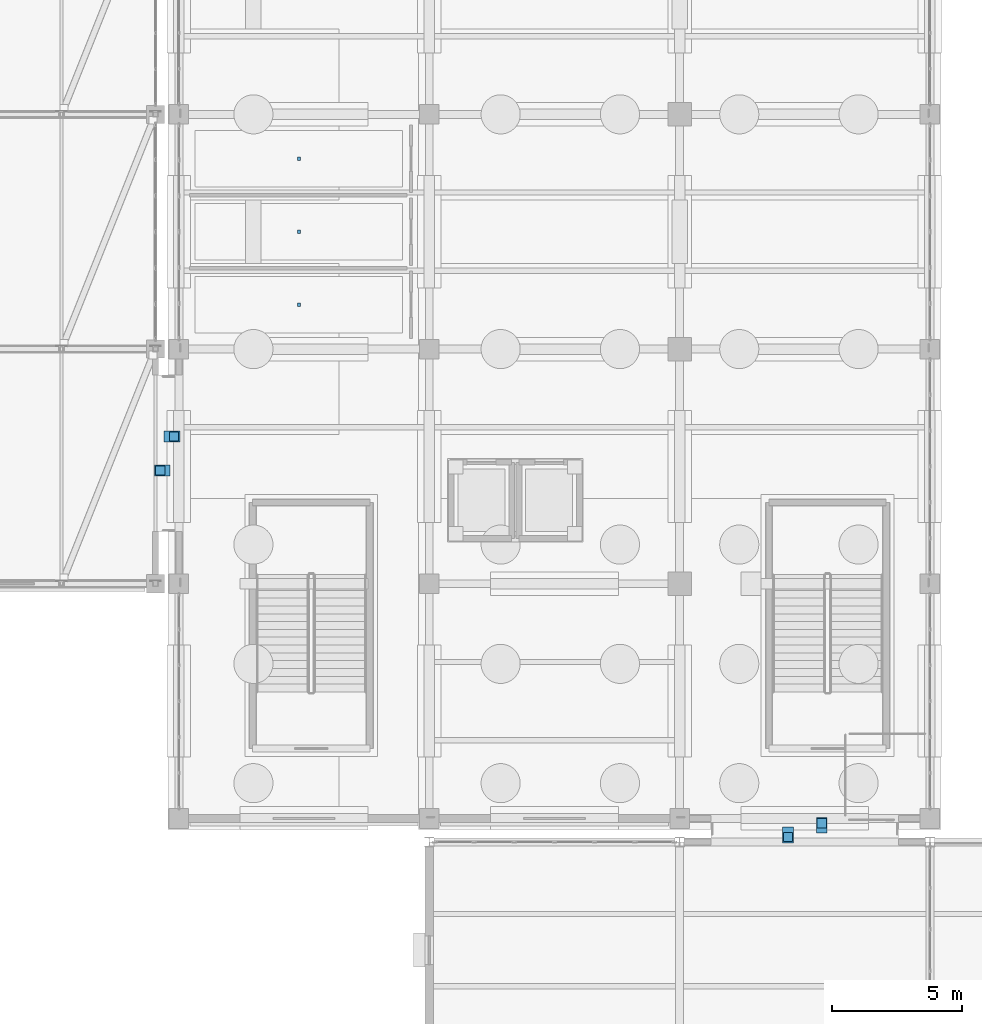
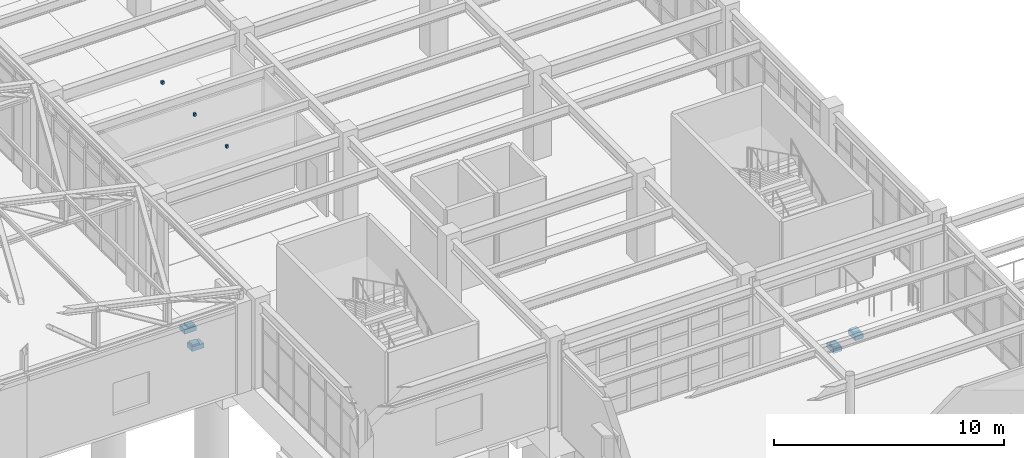
# One storey, part 119 of 139: 11 discrete accessories.
"""IFC4 building model written with IfcOpenShell, lengths in metres."""

from ifc_helpers import new_model, si_unit, direction, frame, origin, origin_2d, place, context, subcontext, project, spatial, rectangle, extrude, material, layer, layer_set, type_object, element, save


model = new_model("IFC4")

# Units and contexts
model_context = context("Model", 3, precision=1e-05, world=origin(), true_north=direction((0.0, 1.0)))
body_context = subcontext(model_context, "Body", "Model", "MODEL_VIEW")
ifc_project = project(units=[si_unit("LENGTHUNIT", "METRE"), si_unit("AREAUNIT", "SQUARE_METRE"), si_unit("VOLUMEUNIT", "CUBIC_METRE"), si_unit("PLANEANGLEUNIT", "RADIAN"), si_unit("MASSUNIT", "GRAM", prefix="KILO")], contexts=[model_context])

# Site, building, storey
site_placement = place(None, origin())
site = spatial("IfcSite", under=ifc_project, at=site_placement, CompositionType="ELEMENT")
building_placement = place(site_placement, origin())
building = spatial("IfcBuilding", under=site, at=building_placement, Name="Canglan Escarpment Cableway Terminal", CompositionType="ELEMENT")
storey_placement = place(building_placement, frame((0.0, 0.0, 14.39990234375)))
storey = spatial("IfcBuildingStorey", under=building, at=storey_placement, Name="L03", CompositionType="ELEMENT", Elevation=14.39990234375)

# Discrete accessories
ifc_material_1 = material(Name="Steel Q355B", Category="steel")
ifc_layer_1 = layer(ifc_material_1, 0.159912109375, Name="Steel Q355B")
ifc_layer_set_1 = layer_set([ifc_layer_1], Name="Steel Q355B")
discrete_accessory_type_1 = type_object("IfcDiscreteAccessoryType", Name="ACC-BRACKET-01", PredefinedType="BRACKET", material=ifc_layer_set_1)
for number, where, z_axis, x_axis, name in (
    (1, (142.199951171875, 53.699951171875, 4.3701171875), (0.0, 0.0, 1.0), (1.0, 0.0, 0.0), "Suspended ceiling hanger bracket BK-01"),
    (2, (142.199951171875, 56.5, 4.3701171875), (0.0, 0.0, 1.0), (1.0, 0.0, 0.0), "Suspended ceiling hanger bracket BK-01"),
    (3, (142.199951171875, 59.300048828125, 4.3701171875), (0.0, 0.0, 1.0), (1.0, 0.0, 0.0), "Suspended ceiling hanger bracket BK-01"),
):
    element("IfcDiscreteAccessory", number, at=place(storey_placement, frame(where, z_axis=z_axis, x_axis=x_axis)), inside=storey, type_object=discrete_accessory_type_1, Name=name, PredefinedType="BRACKET", context=body_context, shape_type="SweptSolid", body=[
        extrude(rectangle(XDim=0.1201171875, YDim=0.1201171875, at=origin_2d()), origin(), (0.0, 0.0, 1.0), 0.14990234375),
    ])
ifc_material_2 = material(Name="Concrete C40", Category="concrete")
ifc_layer_2 = layer(ifc_material_2, 0.239990234375, Name="Concrete C40")
ifc_layer_set_2 = layer_set([ifc_layer_2], Name="Concrete C40")
discrete_accessory_type_2 = type_object("IfcDiscreteAccessoryType", Name="ACC-CORBEL-CB01", PredefinedType="BRACKET", material=ifc_layer_set_2)
for number, where, z_axis, x_axis, name in (
    (4, (160.949951171875, 33.364990234375, -0.5400390625), (0.0, 0.0, 1.0), (1.0, 0.0, 0.0), "Concrete C40 movement-joint corbel bearing ledge CB-01"),
    (5, (162.25, 33.735107421875, -0.5400390625), (0.0, 0.0, 1.0), (1.0, 0.0, 0.0), "Concrete C40 movement-joint corbel bearing ledge CB-01"),
):
    element("IfcDiscreteAccessory", number, at=place(storey_placement, frame(where, z_axis=z_axis, x_axis=x_axis)), inside=storey, type_object=discrete_accessory_type_2, Name=name, PredefinedType="BRACKET", context=body_context, shape_type="SweptSolid", body=[
        extrude(rectangle(XDim=0.419921875, YDim=0.60009765625, at=origin_2d()), origin(), (0.0, 0.0, 1.0), 0.239990234375),
    ])
for number, where, z_axis, x_axis, name in (
    (6, (136.965087890625, 47.35009765625, -0.5400390625), (0.0, 0.0, 1.0), (1.0, 0.0, 0.0), "Concrete C40 movement-joint corbel bearing ledge CB-01"),
    (7, (137.3349609375, 48.64990234375, -0.5400390625), (0.0, 0.0, 1.0), (1.0, 0.0, 0.0), "Concrete C40 movement-joint corbel bearing ledge CB-01"),
):
    element("IfcDiscreteAccessory", number, at=place(storey_placement, frame(where, z_axis=z_axis, x_axis=x_axis)), inside=storey, type_object=discrete_accessory_type_2, Name=name, PredefinedType="BRACKET", context=body_context, shape_type="SweptSolid", body=[
        extrude(rectangle(XDim=0.60009765625, YDim=0.419921875, at=origin_2d()), origin(), (0.0, 0.0, 1.0), 0.239990234375),
    ])
ifc_material_3 = material(Name="Stainless steel and PTFE elastomer", Category="steel")
ifc_layer_3 = layer(ifc_material_3, 0.080078125, Name="Stainless steel and PTFE elastomer")
ifc_layer_set_3 = layer_set([ifc_layer_3], Name="Stainless steel and PTFE elastomer")
discrete_accessory_type_3 = type_object("IfcDiscreteAccessoryType", Name="BRG-SLIDING-MJ01", PredefinedType="USERDEFINED", material=ifc_layer_set_3)
for number, where, z_axis, x_axis, name in (
    (8, (160.949951171875, 33.284912109375, -0.300048828125), (0.0, 0.0, 1.0), (1.0, 0.0, 0.0), "Unguided PTFE-elastomeric sliding bearing pad MJ-01"),
    (9, (162.25, 33.81494140625, -0.300048828125), (0.0, 0.0, 1.0), (1.0, 0.0, 0.0), "Unguided PTFE-elastomeric sliding bearing pad MJ-01"),
    (10, (136.885009765625, 47.35009765625, -0.300048828125), (0.0, 0.0, 1.0), (1.0, 0.0, 0.0), "Unguided PTFE-elastomeric sliding bearing pad MJ-01"),
    (11, (137.4150390625, 48.64990234375, -0.300048828125), (0.0, 0.0, 1.0), (1.0, 0.0, 0.0), "Unguided PTFE-elastomeric sliding bearing pad MJ-01"),
):
    element("IfcDiscreteAccessory", number, at=place(storey_placement, frame(where, z_axis=z_axis, x_axis=x_axis)), inside=storey, type_object=discrete_accessory_type_3, Name=name, ObjectType="SLIDING BEARING", PredefinedType="USERDEFINED", context=body_context, shape_type="SweptSolid", body=[
        extrude(rectangle(XDim=0.35009765625, YDim=0.35009765625, at=origin_2d()), origin(), (0.0, 0.0, 1.0), 0.080078125),
    ])

save(model, "model.ifc")
